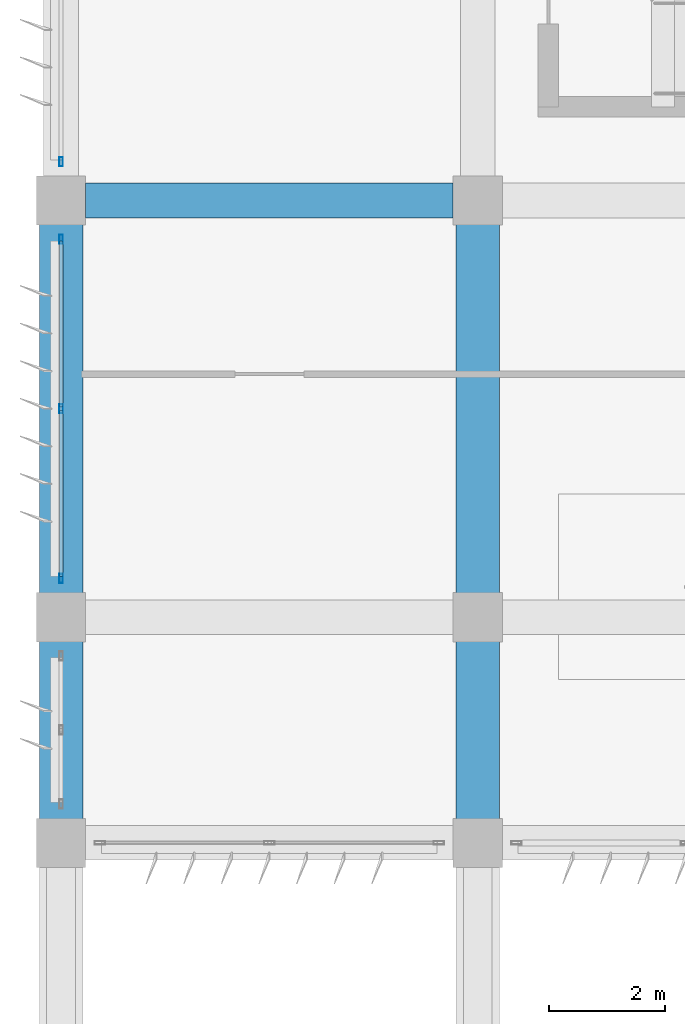
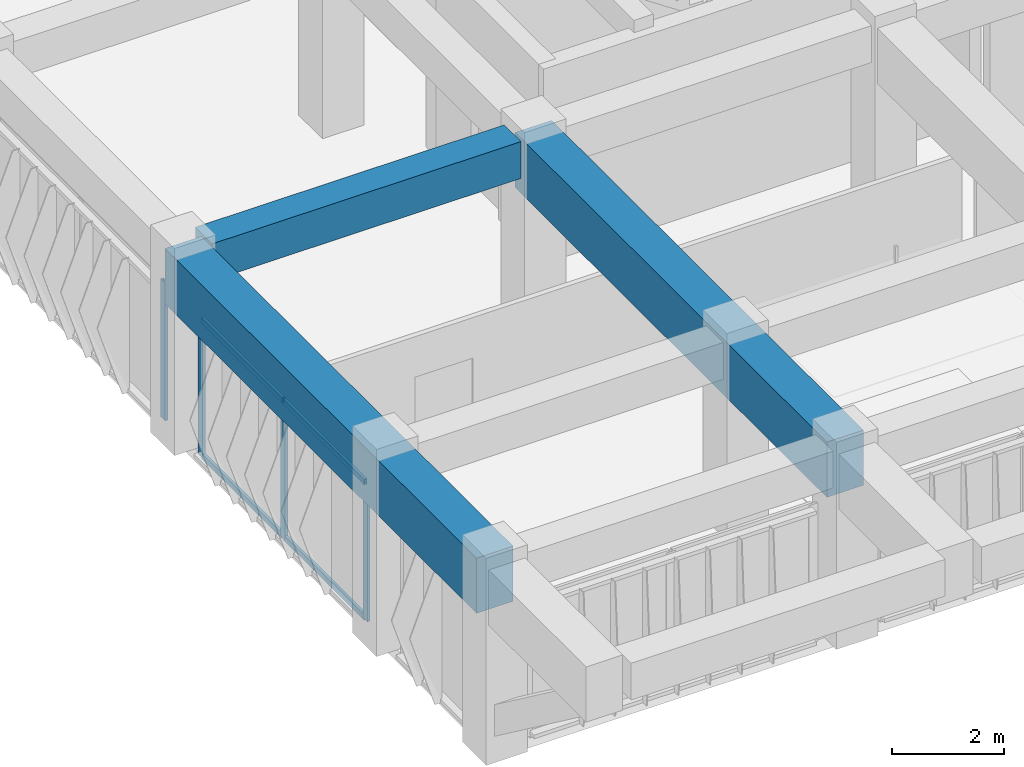
# One storey, part 4 of 56: 8 members, 3 beams, 2 elements without a shape of their own.
"""IFC4 building model written with IfcOpenShell, lengths in metres."""

from ifc_helpers import new_model, si_unit, direction, frame, origin, origin_2d, place, context, subcontext, project, spatial, rectangle, hollow_rectangle, extrude, material, material_profile, profile_set, type_object, element, aggregate, save


model = new_model("IFC4")

# Units and contexts
model_context = context("Model", 3, precision=1e-05, world=origin(), true_north=direction((0.0, 1.0)))
body_context = subcontext(model_context, "Body", "Model", "MODEL_VIEW")
ifc_project = project(units=[si_unit("LENGTHUNIT", "METRE"), si_unit("AREAUNIT", "SQUARE_METRE"), si_unit("VOLUMEUNIT", "CUBIC_METRE"), si_unit("PLANEANGLEUNIT", "RADIAN"), si_unit("MASSUNIT", "GRAM", prefix="KILO")], contexts=[model_context])

# Site, building, storey
site_placement = place(None, origin())
site = spatial("IfcSite", under=ifc_project, at=site_placement, CompositionType="ELEMENT")
building_placement = place(site_placement, origin())
building = spatial("IfcBuilding", under=site, at=building_placement, Name="Kazehaya Institute of Natural Sciences", CompositionType="ELEMENT")
storey_placement = place(building_placement, frame((0.0, 0.0, 24.300048828125)))
storey = spatial("IfcBuildingStorey", under=building, at=storey_placement, Name="L05", CompositionType="ELEMENT", Elevation=24.300048828125)

# Beams
ifc_material_1 = material(Name="Concrete Fc36", Category="concrete")
ifc_material_profile_1 = material_profile(ifc_material_1, rectangle(XDim=0.60009765625, YDim=0.800048828125, at=origin_2d()), Name="RC-600x800")
ifc_profile_set_1 = profile_set([ifc_material_profile_1], Name="Concrete Fc36")
beam_type_1 = type_object("IfcBeamType", Name="BM-G-600x800", PredefinedType="BEAM", material=ifc_profile_set_1)
beam_placement = place(storey_placement, frame((55.02490234375, 21.199951171875, 3.829833984375), z_axis=(1.0, 0.0, 0.0), x_axis=(0.0, 1.0, 0.0)))
element("IfcBeam", 1, at=beam_placement, inside=storey, type_object=beam_type_1, Name="L05 primary X girder BMX-L05-546-212", PredefinedType="BEAM", context=body_context, shape_type="SweptSolid", body=[
    extrude(rectangle(XDim=0.60009765625, YDim=0.800048828125, at=origin_2d()), origin(), (0.0, 0.0, 1.0), 6.35009765625),
])
ifc_material_2 = material(Name="Concrete Fc42", Category="concrete")
ifc_material_profile_2 = material_profile(ifc_material_2, rectangle(XDim=0.75, YDim=1.199951171875, at=origin_2d()), Name="RC-750x1200")
ifc_profile_set_2 = profile_set([ifc_material_profile_2], Name="Concrete Fc42")
beam_type_2 = type_object("IfcBeamType", Name="BM-TG-750x1200", PredefinedType="BEAM", material=ifc_profile_set_2)
for number, where, z_axis, x_axis, name in (
    (2, (54.60009765625, 10.10009765625, 3.6298828125), (0.0, 1.0, 0.0), (-1.0, 0.0, 0.0), "L05 transfer girder back-span 1703"),
    (3, (61.800048828125, 10.10009765625, 3.6298828125), (0.0, 1.0, 0.0), (-1.0, 0.0, 0.0), "L05 transfer girder back-span 1707"),
):
    element("IfcBeam", number, at=place(storey_placement, frame(where, z_axis=z_axis, x_axis=x_axis)), inside=storey, type_object=beam_type_2, Name=name, PredefinedType="BEAM", context=body_context, shape_type="SweptSolid", body=[
        extrude(rectangle(XDim=0.75, YDim=1.199951171875, at=origin_2d()), origin(), (0.0, 0.0, 1.0), 11.099853515625),
    ])

# Curtain wall, members
ifc_material_3 = material(Name="Aluminium alloy A6063S-T5", Category="aluminium")
curtain_wall_type = type_object("IfcCurtainWallType", Name="CW-SYS-10", PredefinedType="NOTDEFINED", material=ifc_material_3)
curtain_wall_1_placement = place(storey_placement, origin())
curtain_wall_1 = element("IfcCurtainWall", 4, at=curtain_wall_1_placement, inside=storey, type_object=curtain_wall_type, Name="L05 unitised curtain wall CW-L05-114", PredefinedType="NOTDEFINED")
ifc_material_profile_3 = material_profile(ifc_material_3, hollow_rectangle(XDim=0.06005859375, YDim=0.159912109375, WallThickness=0.00390625, at=origin_2d()), Name="ALU-60x160x4")
ifc_profile_set_3 = profile_set([ifc_material_profile_3], Name="Aluminium alloy A6063S-T5")
member_type_1 = type_object("IfcMemberType", Name="CWM-160", PredefinedType="MULLION", material=ifc_profile_set_3)
member_1_placement = place(storey_placement, frame((54.60009765625, 14.669921875, 0.0), z_axis=(0.0, 0.0, 1.0), x_axis=(-1.0, 0.0, 0.0)))
member_1 = element("IfcMember", 5, at=member_1_placement, type_object=member_type_1, Name="CW10 mullion 1", PredefinedType="MULLION", context=body_context, shape_type="SweptSolid", body=[
    extrude(hollow_rectangle(XDim=0.06005859375, YDim=0.159912109375, WallThickness=0.00390625, at=origin_2d()), origin(), (0.0, 0.0, 1.0), 3.0),
])
member_2_placement = place(storey_placement, frame((54.60009765625, 17.60009765625, 0.0), z_axis=(0.0, 0.0, 1.0), x_axis=(-1.0, 0.0, 0.0)))
member_2 = element("IfcMember", 6, at=member_2_placement, type_object=member_type_1, Name="CW10 mullion 2", PredefinedType="MULLION", context=body_context, shape_type="SweptSolid", body=[
    extrude(hollow_rectangle(XDim=0.06005859375, YDim=0.159912109375, WallThickness=0.00390625, at=origin_2d()), origin(), (0.0, 0.0, 1.0), 3.0),
])
member_3_placement = place(storey_placement, frame((54.60009765625, 20.530029296875, 0.0), z_axis=(0.0, 0.0, 1.0), x_axis=(-1.0, 0.0, 0.0)))
member_3 = element("IfcMember", 7, at=member_3_placement, type_object=member_type_1, Name="CW10 mullion 3", PredefinedType="MULLION", context=body_context, shape_type="SweptSolid", body=[
    extrude(hollow_rectangle(XDim=0.06005859375, YDim=0.159912109375, WallThickness=0.00390625, at=origin_2d()), origin(), (0.0, 0.0, 1.0), 3.0),
])

# Curtain wall, member
curtain_wall_2_placement = place(storey_placement, origin())
curtain_wall_2 = element("IfcCurtainWall", 8, at=curtain_wall_2_placement, inside=storey, type_object=curtain_wall_type, Name="L05 unitised curtain wall CW-L05-116", PredefinedType="NOTDEFINED")
member_4_placement = place(storey_placement, frame((54.60009765625, 21.8701171875, 0.0), z_axis=(0.0, 0.0, 1.0), x_axis=(-1.0, 0.0, 0.0)))
member_4 = element("IfcMember", 9, at=member_4_placement, type_object=member_type_1, Name="CW10 mullion 1", PredefinedType="MULLION", context=body_context, shape_type="SweptSolid", body=[
    extrude(hollow_rectangle(XDim=0.06005859375, YDim=0.159912109375, WallThickness=0.00390625, at=origin_2d()), origin(), (0.0, 0.0, 1.0), 3.0),
])
aggregate(curtain_wall_2, [member_4])

# Member
ifc_material_profile_4 = material_profile(ifc_material_3, hollow_rectangle(XDim=0.06005859375, YDim=0.1201171875, WallThickness=0.00341796875, at=origin_2d()), Name="ALU-60x120x3.5")
ifc_profile_set_4 = profile_set([ifc_material_profile_4], Name="Aluminium alloy A6063S-T5")
member_type_2 = type_object("IfcMemberType", Name="CWT-120", PredefinedType="USERDEFINED", material=ifc_profile_set_4)
member_5_placement = place(storey_placement, frame((54.60009765625, 14.699951171875, 0.030029296875), z_axis=(0.0, 1.0, 0.0), x_axis=(-1.0, 0.0, 0.0)))
member_5 = element("IfcMember", 10, at=member_5_placement, type_object=member_type_2, Name="CW10 transom 1.1", ObjectType="TRANSOM", PredefinedType="USERDEFINED", context=body_context, shape_type="SweptSolid", body=[
    extrude(hollow_rectangle(XDim=0.06005859375, YDim=0.1201171875, WallThickness=0.00341796875, at=origin_2d()), origin(), (0.0, 0.0, 1.0), 2.8701171875),
])

member_6_placement = place(storey_placement, frame((54.60009765625, 14.699951171875, 2.969970703125), z_axis=(0.0, 1.0, 0.0), x_axis=(-1.0, 0.0, 0.0)))
member_6 = element("IfcMember", 11, at=member_6_placement, type_object=member_type_2, Name="CW10 transom 1.2", ObjectType="TRANSOM", PredefinedType="USERDEFINED", context=body_context, shape_type="SweptSolid", body=[
    extrude(hollow_rectangle(XDim=0.06005859375, YDim=0.1201171875, WallThickness=0.00341796875, at=origin_2d()), origin(), (0.0, 0.0, 1.0), 2.8701171875),
])

member_7_placement = place(storey_placement, frame((54.60009765625, 17.6298828125, 0.030029296875), z_axis=(0.0, 1.0, 0.0), x_axis=(-1.0, 0.0, 0.0)))
member_7 = element("IfcMember", 12, at=member_7_placement, type_object=member_type_2, Name="CW10 transom 2.1", ObjectType="TRANSOM", PredefinedType="USERDEFINED", context=body_context, shape_type="SweptSolid", body=[
    extrude(hollow_rectangle(XDim=0.06005859375, YDim=0.1201171875, WallThickness=0.00341796875, at=origin_2d()), origin(), (0.0, 0.0, 1.0), 2.8701171875),
])

member_8_placement = place(storey_placement, frame((54.60009765625, 17.6298828125, 2.969970703125), z_axis=(0.0, 1.0, 0.0), x_axis=(-1.0, 0.0, 0.0)))
member_8 = element("IfcMember", 13, at=member_8_placement, type_object=member_type_2, Name="CW10 transom 2.2", ObjectType="TRANSOM", PredefinedType="USERDEFINED", context=body_context, shape_type="SweptSolid", body=[
    extrude(hollow_rectangle(XDim=0.06005859375, YDim=0.1201171875, WallThickness=0.00341796875, at=origin_2d()), origin(), (0.0, 0.0, 1.0), 2.8701171875),
])

aggregate(curtain_wall_1, [member_1, member_2, member_3, member_5, member_6, member_7, member_8])

save(model, "model.ifc")
